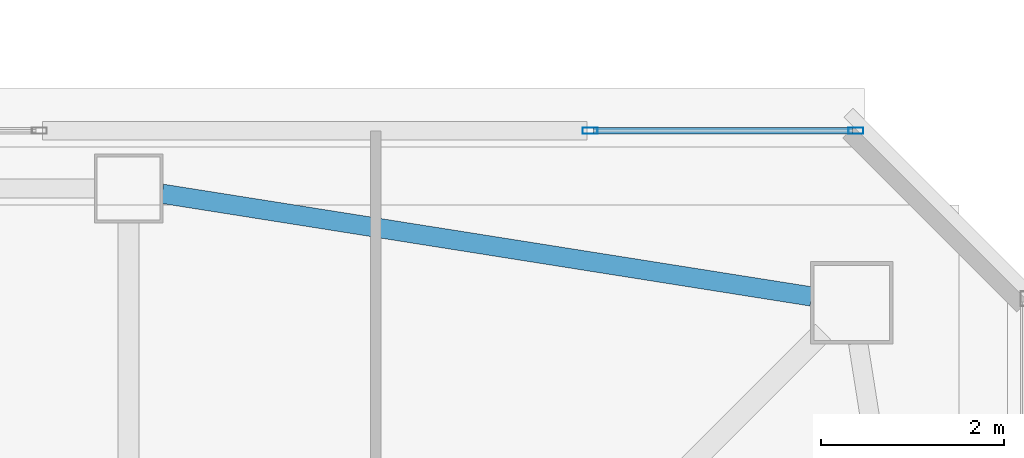
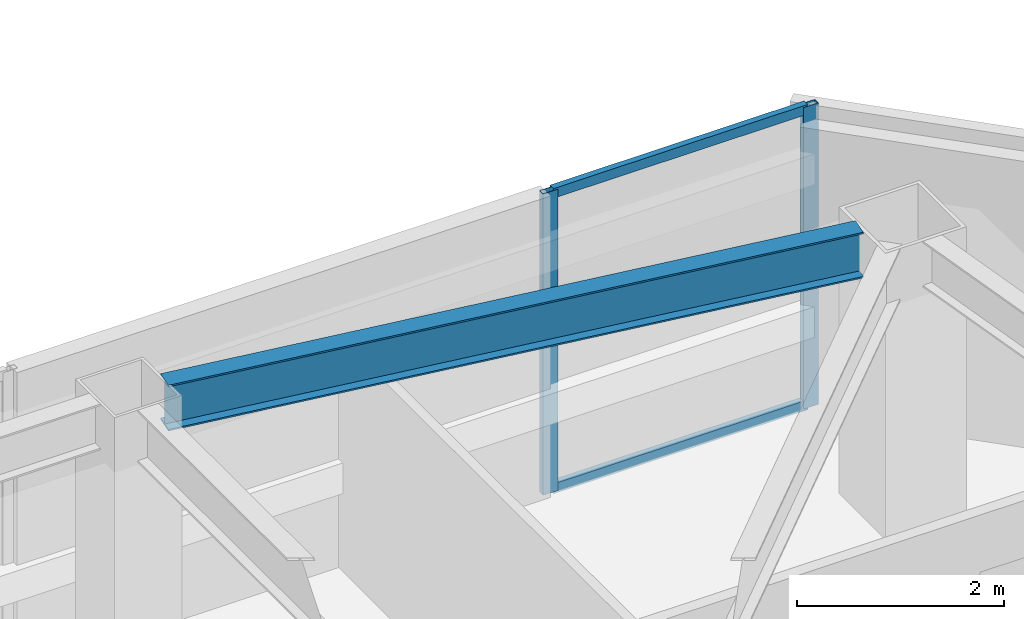
# One storey, part 12 of 31: 4 members, 1 beam, 1 element without a shape of its own.
"""IFC4 building model written with IfcOpenShell, lengths in metres."""

from ifc_helpers import new_model, si_unit, direction, frame, origin, origin_2d, place, context, subcontext, project, spatial, hollow_rectangle, i_section, extrude, material, material_profile, profile_set, type_object, element, aggregate, save


model = new_model("IFC4")

# Units and contexts
model_context = context("Model", 3, precision=1e-05, world=origin(), true_north=direction((0.0, 1.0)))
body_context = subcontext(model_context, "Body", "Model", "MODEL_VIEW")
ifc_project = project(units=[si_unit("LENGTHUNIT", "METRE"), si_unit("AREAUNIT", "SQUARE_METRE"), si_unit("VOLUMEUNIT", "CUBIC_METRE"), si_unit("PLANEANGLEUNIT", "RADIAN"), si_unit("MASSUNIT", "GRAM", prefix="KILO")], contexts=[model_context])

# Site, building, storey
site_placement = place(None, origin())
site = spatial("IfcSite", under=ifc_project, at=site_placement, CompositionType="ELEMENT")
building_placement = place(site_placement, origin())
building = spatial("IfcBuilding", under=site, at=building_placement, Name="Tashvorn Skyway Center", CompositionType="ELEMENT")
storey_placement = place(building_placement, frame((0.0, 0.0, 266.949951171875)))
storey = spatial("IfcBuildingStorey", under=building, at=storey_placement, Name="L72", CompositionType="ELEMENT", Elevation=266.949951171875)

# Beam
ifc_material_1 = material(Name="Steel ASTM A992 Grade 50", Category="steel")
ifc_material_profile_1 = material_profile(ifc_material_1, i_section(OverallWidth=0.2109375, OverallDepth=0.5390625, WebThickness=0.01171875, FlangeThickness=0.018798828125, at=origin_2d()), Name="W21X73")
ifc_profile_set_1 = profile_set([ifc_material_profile_1], Name="Steel ASTM A992 Grade 50")
beam_type = type_object("IfcBeamType", Name="BM-SPANDREL-W21X73", PredefinedType="SPANDREL", material=ifc_profile_set_1)
beam_placement = place(storey_placement, frame((54.8603515625, 45.36962890625, 3.1005859375), z_axis=(-0.987713587978, 0.156274976, 0.0), x_axis=(-0.156274976, -0.987713587978, 0.0)))
element("IfcBeam", 1, at=beam_placement, inside=storey, type_object=beam_type, Name="Tower 1 L72 Spandrel Beam 07", PredefinedType="SPANDREL", context=body_context, shape_type="SweptSolid", body=[
    extrude(i_section(OverallWidth=0.2109375, OverallDepth=0.5390625, WebThickness=0.01171875, FlangeThickness=0.018798828125, at=origin_2d()), origin(), (0.0, 0.0, 1.0), 7.18310546875),
])

# Curtain wall, members
ifc_material_2 = material(Name="Thermally broken bronze-anodized aluminium 6063-T6", Category="aluminium")
curtain_wall_type = type_object("IfcCurtainWallType", Name="CW-CW-Z5", PredefinedType="NOTDEFINED", material=ifc_material_2)
curtain_wall_placement = place(storey_placement, origin())
curtain_wall = element("IfcCurtainWall", 2, at=curtain_wall_placement, inside=storey, type_object=curtain_wall_type, Name="Tower 1 L72 North Unitised Curtain Wall Glazing Group 3", PredefinedType="NOTDEFINED")
ifc_material_profile_2 = material_profile(ifc_material_2, hollow_rectangle(XDim=0.070068359375, YDim=0.1650390625, WallThickness=0.00390625, at=origin_2d()), Name="ALU-MULL-70x165")
ifc_profile_set_2 = profile_set([ifc_material_profile_2], Name="Thermally broken bronze-anodized aluminium 6063-T6")
member_type_1 = type_object("IfcMemberType", Name="CWM-CW-Z5", PredefinedType="MULLION", material=ifc_profile_set_2)
member_1_placement = place(storey_placement, frame((52.441650390625, 47.179931640625, 0.0), z_axis=(0.0, 0.0, 1.0), x_axis=(0.0, 1.0, 0.0)))
member_1 = element("IfcMember", 3, at=member_1_placement, type_object=member_type_1, Name="CW-Z5 mullion 1", PredefinedType="MULLION", context=body_context, shape_type="SweptSolid", body=[
    extrude(hollow_rectangle(XDim=0.070068359375, YDim=0.1650390625, WallThickness=0.00390625, at=origin_2d()), origin(), (0.0, 0.0, 1.0), 3.550048828125),
])
member_2_placement = place(storey_placement, frame((55.344970703125, 47.179931640625, 0.0), z_axis=(0.0, 0.0, 1.0), x_axis=(0.0, 1.0, 0.0)))
member_2 = element("IfcMember", 4, at=member_2_placement, type_object=member_type_1, Name="CW-Z5 mullion 2", PredefinedType="MULLION", context=body_context, shape_type="SweptSolid", body=[
    extrude(hollow_rectangle(XDim=0.070068359375, YDim=0.1650390625, WallThickness=0.00390625, at=origin_2d()), origin(), (0.0, 0.0, 1.0), 3.550048828125),
])
ifc_material_profile_3 = material_profile(ifc_material_2, hollow_rectangle(XDim=0.070068359375, YDim=0.114990234375, WallThickness=0.00390625, at=origin_2d()), Name="ALU-TRAN-70x115")
ifc_profile_set_3 = profile_set([ifc_material_profile_3], Name="Thermally broken bronze-anodized aluminium 6063-T6")
member_type_2 = type_object("IfcMemberType", Name="CWT-CW-Z5", PredefinedType="USERDEFINED", material=ifc_profile_set_3)
member_3_placement = place(storey_placement, frame((52.476806640625, 47.179931640625, 0.03515625), z_axis=(1.0, 0.0, 0.0), x_axis=(0.0, 1.0, 0.0)))
member_3 = element("IfcMember", 5, at=member_3_placement, type_object=member_type_2, Name="CW-Z5 transom 1.1", ObjectType="TRANSOM", PredefinedType="USERDEFINED", context=body_context, shape_type="SweptSolid", body=[
    extrude(hollow_rectangle(XDim=0.070068359375, YDim=0.114990234375, WallThickness=0.00390625, at=origin_2d()), origin(), (0.0, 0.0, 1.0), 2.833251953125),
])
member_4_placement = place(storey_placement, frame((52.476806640625, 47.179931640625, 3.51513671875), z_axis=(1.0, 0.0, 0.0), x_axis=(0.0, 1.0, 0.0)))
member_4 = element("IfcMember", 6, at=member_4_placement, type_object=member_type_2, Name="CW-Z5 transom 1.2", ObjectType="TRANSOM", PredefinedType="USERDEFINED", context=body_context, shape_type="SweptSolid", body=[
    extrude(hollow_rectangle(XDim=0.070068359375, YDim=0.114990234375, WallThickness=0.00390625, at=origin_2d()), origin(), (0.0, 0.0, 1.0), 2.833251953125),
])
aggregate(curtain_wall, [member_1, member_2, member_3, member_4])

save(model, "model.ifc")
